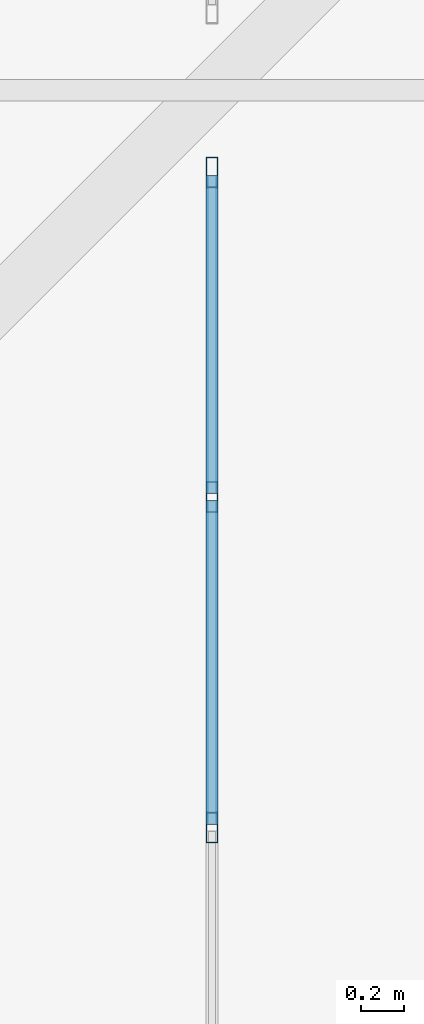
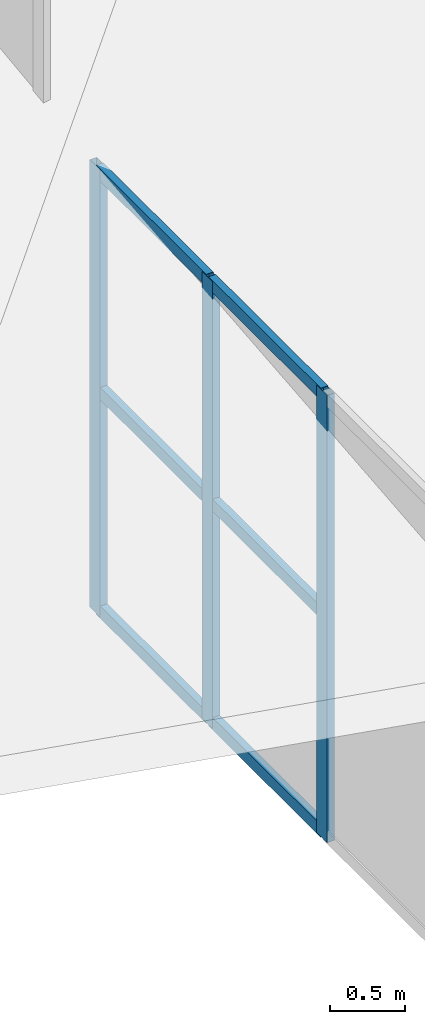
# One storey, part 52 of 397: 9 members, 1 element without a shape of its own.
"""IFC4 building model written with IfcOpenShell, lengths in metres."""

from ifc_helpers import new_model, si_unit, direction, frame, origin, origin_2d, place, context, subcontext, project, spatial, hollow_rectangle, extrude, material, material_profile, profile_set, type_object, element, aggregate, save


model = new_model("IFC4")

# Units and contexts
model_context = context("Model", 3, precision=1e-05, world=origin(), true_north=direction((0.0, 1.0)))
body_context = subcontext(model_context, "Body", "Model", "MODEL_VIEW")
ifc_project = project(units=[si_unit("LENGTHUNIT", "METRE"), si_unit("AREAUNIT", "SQUARE_METRE"), si_unit("VOLUMEUNIT", "CUBIC_METRE"), si_unit("PLANEANGLEUNIT", "RADIAN"), si_unit("MASSUNIT", "GRAM", prefix="KILO")], contexts=[model_context])

# Site, building, storey
site_placement = place(None, origin())
site = spatial("IfcSite", under=ifc_project, at=site_placement, CompositionType="ELEMENT")
building_placement = place(site_placement, origin())
building = spatial("IfcBuilding", under=site, at=building_placement, Name="Qandorah Velis Arena", CompositionType="ELEMENT")
storey_placement = place(building_placement, frame((0.0, 0.0, 27.5)))
storey = spatial("IfcBuildingStorey", under=building, at=storey_placement, Name="RF", CompositionType="ELEMENT", Elevation=27.5)

# Curtain wall, members
ifc_material_1 = material(Name="Solar-control low-E double glazing", Category="glass")
curtain_wall_type = type_object("IfcCurtainWallType", Name="ARC-CW-SYS07", PredefinedType="USERDEFINED", material=ifc_material_1)
curtain_wall_placement = place(storey_placement, origin())
curtain_wall = element("IfcCurtainWall", 1, at=curtain_wall_placement, inside=storey, type_object=curtain_wall_type, Name="Unitised curtain wall MON-1-1", ObjectType="UNITISED CURTAIN WALL", PredefinedType="USERDEFINED")
ifc_material_2 = material(Name="Champagne-bronze anodized aluminium 6063-T6", Category="aluminium")
ifc_material_profile_1 = material_profile(ifc_material_2, hollow_rectangle(XDim=0.054931640625, YDim=0.139892578125, WallThickness=0.0029296875, at=origin_2d()), Name="ALU MULLION 55x140")
ifc_profile_set_1 = profile_set([ifc_material_profile_1], Name="Champagne-bronze anodized aluminium 6063-T6")
member_type_1 = type_object("IfcMemberType", Name="ARC-CWM-140", PredefinedType="MULLION", material=ifc_profile_set_1)
member_1_placement = place(storey_placement, frame((21.60009765625, 32.60546875, 3.5263671875), z_axis=(0.0, 0.0, 1.0), x_axis=(-1.0, 0.0, 0.0)))
member_1 = element("IfcMember", 2, at=member_1_placement, type_object=member_type_1, Name="CW07 mullion 8", PredefinedType="MULLION", context=body_context, shape_type="SweptSolid", body=[
    extrude(hollow_rectangle(XDim=0.054931640625, YDim=0.139892578125, WallThickness=0.0029296875, at=origin_2d()), origin(), (0.0, 0.0, 1.0), 3.630126953125),
])
member_2_placement = place(storey_placement, frame((21.60009765625, 34.127685546875, 3.5263671875), z_axis=(0.0, 0.0, 1.0), x_axis=(-1.0, 0.0, 0.0)))
member_2 = element("IfcMember", 3, at=member_2_placement, type_object=member_type_1, Name="CW07 mullion 9", PredefinedType="MULLION", context=body_context, shape_type="SweptSolid", body=[
    extrude(hollow_rectangle(XDim=0.054931640625, YDim=0.139892578125, WallThickness=0.0029296875, at=origin_2d()), origin(), (0.0, 0.0, 1.0), 3.630126953125),
])
member_3_placement = place(storey_placement, frame((21.60009765625, 35.62255859375, 3.5263671875), z_axis=(0.0, 0.0, 1.0), x_axis=(-1.0, 0.0, 0.0)))
member_3 = element("IfcMember", 4, at=member_3_placement, type_object=member_type_1, Name="CW07 mullion 10", PredefinedType="MULLION", context=body_context, shape_type="SweptSolid", body=[
    extrude(hollow_rectangle(XDim=0.054931640625, YDim=0.139892578125, WallThickness=0.0029296875, at=origin_2d()), origin(), (0.0, 0.0, 1.0), 3.630126953125),
])
ifc_material_profile_2 = material_profile(ifc_material_2, hollow_rectangle(XDim=0.054931640625, YDim=0.10009765625, WallThickness=0.0029296875, at=origin_2d()), Name="ALU TRANSOM 55x100")
ifc_profile_set_2 = profile_set([ifc_material_profile_2], Name="Champagne-bronze anodized aluminium 6063-T6")
member_type_2 = type_object("IfcMemberType", Name="ARC-CWT-100", PredefinedType="USERDEFINED", material=ifc_profile_set_2)
member_4_placement = place(storey_placement, frame((21.60009765625, 32.62109375, 3.56884765625), z_axis=(0.0, 1.0, 0.0), x_axis=(-1.0, 0.0, 0.0)))
member_4 = element("IfcMember", 5, at=member_4_placement, type_object=member_type_2, Name="CW07 transom 8.1", ObjectType="TRANSOM", PredefinedType="USERDEFINED", context=body_context, shape_type="SweptSolid", body=[
    extrude(hollow_rectangle(XDim=0.054931640625, YDim=0.10009765625, WallThickness=0.0029296875, at=origin_2d()), origin(), (0.0, 0.0, 1.0), 1.4912109375),
])
member_5_placement = place(storey_placement, frame((21.60009765625, 32.62109375, 5.34130859375), z_axis=(0.0, 1.0, 0.0), x_axis=(-1.0, 0.0, 0.0)))
member_5 = element("IfcMember", 6, at=member_5_placement, type_object=member_type_2, Name="CW07 transom 8.2", ObjectType="TRANSOM", PredefinedType="USERDEFINED", context=body_context, shape_type="SweptSolid", body=[
    extrude(hollow_rectangle(XDim=0.054931640625, YDim=0.10009765625, WallThickness=0.0029296875, at=origin_2d()), origin(), (0.0, 0.0, 1.0), 1.4912109375),
])
member_6_placement = place(storey_placement, frame((21.60009765625, 32.62109375, 7.114013671875), z_axis=(0.0, 1.0, 0.0), x_axis=(-1.0, 0.0, 0.0)))
member_6 = element("IfcMember", 7, at=member_6_placement, type_object=member_type_2, Name="CW07 transom 8.3", ObjectType="TRANSOM", PredefinedType="USERDEFINED", context=body_context, shape_type="SweptSolid", body=[
    extrude(hollow_rectangle(XDim=0.054931640625, YDim=0.10009765625, WallThickness=0.0029296875, at=origin_2d()), origin(), (0.0, 0.0, 1.0), 1.4912109375),
])
member_7_placement = place(storey_placement, frame((21.60009765625, 34.143310546875, 3.56884765625), z_axis=(0.0, 1.0, 0.0), x_axis=(-1.0, 0.0, 0.0)))
member_7 = element("IfcMember", 8, at=member_7_placement, type_object=member_type_2, Name="CW07 transom 9.1", ObjectType="TRANSOM", PredefinedType="USERDEFINED", context=body_context, shape_type="SweptSolid", body=[
    extrude(hollow_rectangle(XDim=0.054931640625, YDim=0.10009765625, WallThickness=0.0029296875, at=origin_2d()), origin(), (0.0, 0.0, 1.0), 1.463623046875),
])
member_8_placement = place(storey_placement, frame((21.60009765625, 34.143310546875, 5.34130859375), z_axis=(0.0, 1.0, 0.0), x_axis=(-1.0, 0.0, 0.0)))
member_8 = element("IfcMember", 9, at=member_8_placement, type_object=member_type_2, Name="CW07 transom 9.2", ObjectType="TRANSOM", PredefinedType="USERDEFINED", context=body_context, shape_type="SweptSolid", body=[
    extrude(hollow_rectangle(XDim=0.054931640625, YDim=0.10009765625, WallThickness=0.0029296875, at=origin_2d()), origin(), (0.0, 0.0, 1.0), 1.463623046875),
])
member_9_placement = place(storey_placement, frame((21.60009765625, 34.143310546875, 7.114013671875), z_axis=(0.0, 1.0, 0.0), x_axis=(-1.0, 0.0, 0.0)))
member_9 = element("IfcMember", 10, at=member_9_placement, type_object=member_type_2, Name="CW07 transom 9.3", ObjectType="TRANSOM", PredefinedType="USERDEFINED", context=body_context, shape_type="SweptSolid", body=[
    extrude(hollow_rectangle(XDim=0.054931640625, YDim=0.10009765625, WallThickness=0.0029296875, at=origin_2d()), origin(), (0.0, 0.0, 1.0), 1.463623046875),
])
aggregate(curtain_wall, [member_1, member_2, member_3, member_4, member_5, member_6, member_7, member_8, member_9])

save(model, "model.ifc")
